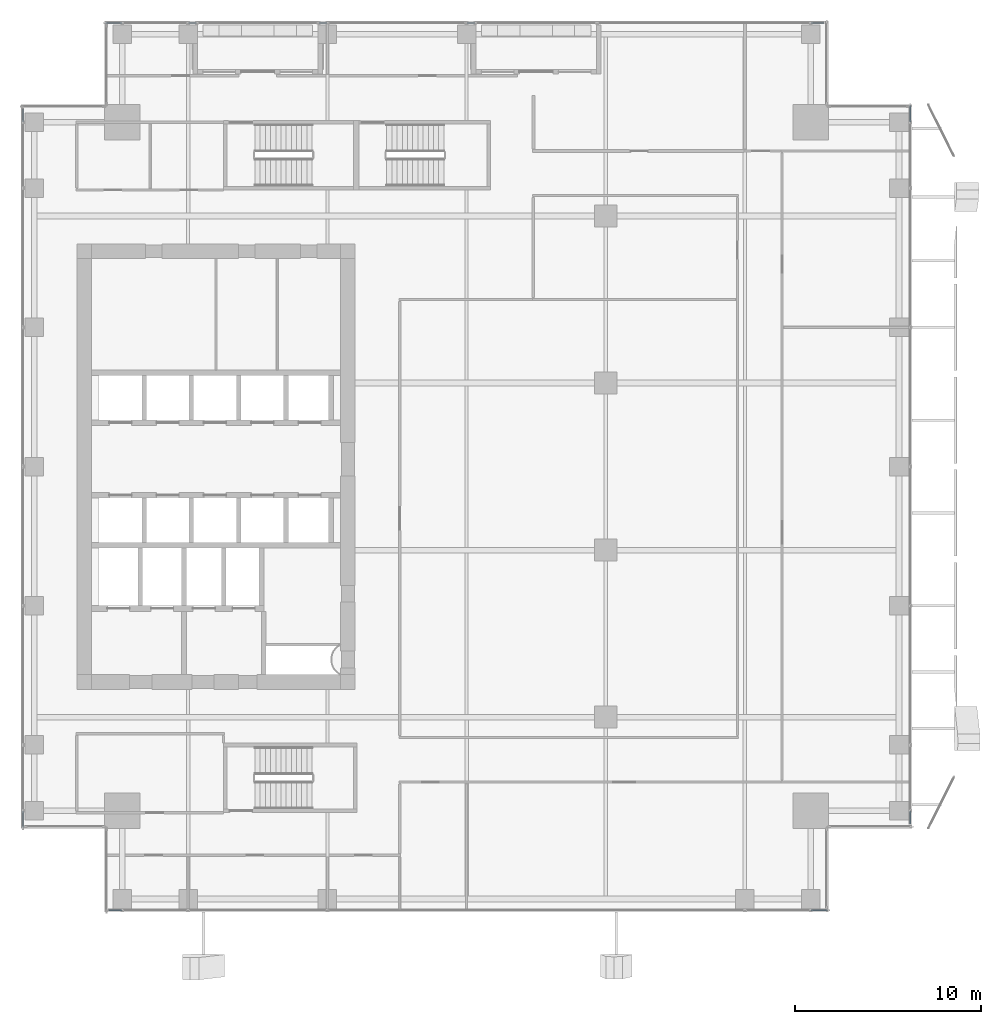
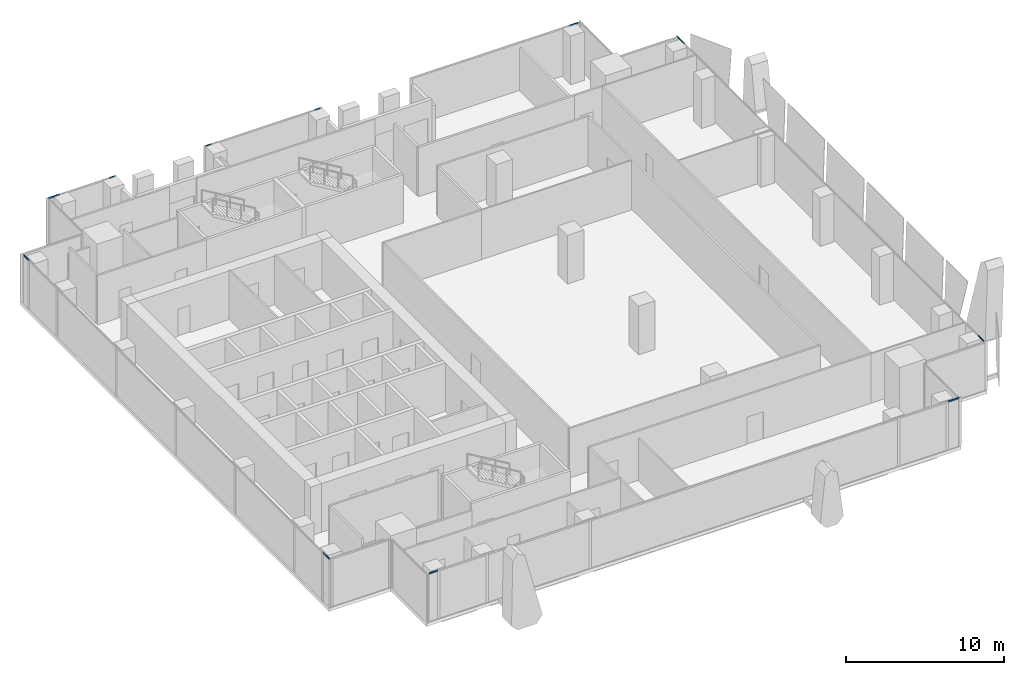
# One storey, part 26 of 38: 11 members, 6 elements without a shape of their own.
"""IFC4 building model written with IfcOpenShell, lengths in metres."""

import ifcopenshell
import ifcopenshell.guid

model = None  # the IFC model being written
_history = None  # IfcOwnerHistory: only IFC2X3 demands one
_inside = {}  # id of a spatial element -> (the spatial element, [elements in it])
_under = {}  # id of a project, library or spatial element -> (it, [spatial elements below it])
_declared = {}  # id of a project -> (the project, [libraries it declares])
_typed = {}  # id of a type object -> (the type object, [elements of that type])
_made_of = {}  # id of a material, layer set ... -> (it, [elements and type objects made of it])


def new_model(schema):
    """Start an empty IFC model of exactly this schema.

    Asked for "IFC4X3", IfcOpenShell would pick the latest addendum, in which some entities
    have other attributes; the version numbers below select the first issue.
    IFC2X3 requires an IfcOwnerHistory on every rooted entity: one is made here for all.
    """
    global model, _history
    if schema == "IFC4X3":
        model = ifcopenshell.file(schema_version=(4, 3, 0, 0))
    else:
        model = ifcopenshell.file(schema=schema)
    _inside.clear()
    _under.clear()
    _declared.clear()
    _typed.clear()
    _made_of.clear()
    _history = None
    if model.schema == "IFC2X3":
        org = make("IfcOrganization", Name="unknown")
        user = make(
            "IfcPersonAndOrganization",
            ThePerson=make("IfcPerson", FamilyName="unknown"),
            TheOrganization=org,
        )
        app = make(
            "IfcApplication",
            ApplicationDeveloper=org,
            Version="unknown",
            ApplicationFullName="unknown",
            ApplicationIdentifier="unknown",
        )
        _history = make(
            "IfcOwnerHistory",
            OwningUser=user,
            OwningApplication=app,
            ChangeAction="ADDED",
            CreationDate=0,
        )
    return model


def make(cls, **values):
    """One entity of the class cls with the attributes given. An attribute that is None is left unset."""
    return model.create_entity(
        cls, **{name: value for name, value in values.items() if value is not None}
    )


def rooted(cls, **values):
    """An entity with a GlobalId (a new one), such as an element, a storey or a relation."""
    return make(cls, GlobalId=ifcopenshell.guid.new(), OwnerHistory=_history, **values)


def si_unit(unit_type, name, prefix=None):
    """IfcSIUnit, for example si_unit("LENGTHUNIT", "METRE", prefix="MILLI")."""
    return make("IfcSIUnit", UnitType=unit_type, Prefix=prefix, Name=name)


def assignment(units):
    """IfcUnitAssignment: the units of a project."""
    return None if units is None else make("IfcUnitAssignment", Units=units)


def point(xyz):
    """IfcCartesianPoint."""
    return None if xyz is None else make("IfcCartesianPoint", Coordinates=xyz)


def direction(xyz):
    """IfcDirection."""
    return None if xyz is None else make("IfcDirection", DirectionRatios=xyz)


def frame(location, z_axis=None, x_axis=None):
    """IfcAxis2Placement3D, a coordinate frame: its origin and axes. An axis left out is left unset."""
    return make(
        "IfcAxis2Placement3D",
        Location=point(location),
        Axis=direction(z_axis),
        RefDirection=direction(x_axis),
    )


def frame_2d(location, x_axis=None):
    """IfcAxis2Placement2D, a coordinate frame in the plane: its origin and x axis."""
    return make(
        "IfcAxis2Placement2D", Location=point(location), RefDirection=direction(x_axis)
    )


def origin():
    """The frame at (0, 0, 0) with its axes left unset."""
    return frame((0.0, 0.0, 0.0))


def origin_2d():
    """The frame at (0, 0) in the plane with its x axis left unset."""
    return frame_2d((0.0, 0.0))


def place(relative_to, where):
    """IfcLocalPlacement: puts the frame where relative to a parent placement (None: the world)."""
    return make(
        "IfcLocalPlacement", PlacementRelTo=relative_to, RelativePlacement=where
    )


def context(
    kind, dimensions, precision=None, world=None, true_north=None, identifier=None
):
    """IfcGeometricRepresentationContext, for example the 3D "Model" context."""
    return make(
        "IfcGeometricRepresentationContext",
        ContextIdentifier=identifier,
        ContextType=kind,
        CoordinateSpaceDimension=dimensions,
        Precision=precision,
        WorldCoordinateSystem=world,
        TrueNorth=true_north,
    )


def subcontext(parent, identifier, kind, view, scale=None):
    """IfcGeometricRepresentationSubContext, for example "Body" below "Model"."""
    return make(
        "IfcGeometricRepresentationSubContext",
        ContextIdentifier=identifier,
        ContextType=kind,
        ParentContext=parent,
        TargetScale=scale,
        TargetView=view,
    )


def project(units=None, contexts=None):
    """IfcProject with its units and contexts."""
    return rooted(
        "IfcProject",
        Name="project",
        RepresentationContexts=contexts,
        UnitsInContext=assignment(units),
    )


def spatial(cls, under=None, at=None, **own):
    """A site, building, storey or space (cls), placed at a placement, below another one or the project."""
    s = rooted(cls, ObjectPlacement=at, **own)
    if under is not None:
        _under.setdefault(under.id(), (under, []))[1].append(s)
    return s


def profile(cls, at=None, kind="AREA", **sizes):
    """A parametric profile (cls). Its sizes go by their IFC names, for example OverallWidth=200.0."""
    return make(cls, ProfileType=kind, Position=at, **sizes)


def hollow_rectangle(**sizes):
    """IfcRectangleHollowProfileDef."""
    return profile("IfcRectangleHollowProfileDef", **sizes)


def extrude(swept, where, along, depth):
    """IfcExtrudedAreaSolid: the profile swept, set in the frame where, extruded along a direction by depth."""
    return make(
        "IfcExtrudedAreaSolid",
        SweptArea=swept,
        Position=where,
        ExtrudedDirection=direction(along),
        Depth=depth,
    )


def shape(context_of_items, identifier, shape_type, items):
    """IfcShapeRepresentation: the items that make up one representation, for example the "Body"."""
    return make(
        "IfcShapeRepresentation",
        ContextOfItems=context_of_items,
        RepresentationIdentifier=identifier,
        RepresentationType=shape_type,
        Items=items,
    )


def source(mapping_origin, context_of_items, identifier, shape_type, items):
    """IfcRepresentationMap: a shape defined once, which mapped items show again and again."""
    return make(
        "IfcRepresentationMap",
        MappingOrigin=mapping_origin,
        MappedRepresentation=shape(context_of_items, identifier, shape_type, items),
    )


def transform(
    local_origin,
    x_axis=None,
    y_axis=None,
    z_axis=None,
    scale=None,
    scale2=None,
    scale3=None,
    uniform=True,
):
    """IfcCartesianTransformationOperator3D, or its non-uniform kind. x_axis, y_axis, z_axis: its Axis1, 2, 3."""
    if uniform:
        return make(
            "IfcCartesianTransformationOperator3D",
            Axis1=direction(x_axis),
            Axis2=direction(y_axis),
            LocalOrigin=point(local_origin),
            Scale=scale,
            Axis3=direction(z_axis),
        )
    return make(
        "IfcCartesianTransformationOperator3DnonUniform",
        Axis1=direction(x_axis),
        Axis2=direction(y_axis),
        LocalOrigin=point(local_origin),
        Scale=scale,
        Axis3=direction(z_axis),
        Scale2=scale2,
        Scale3=scale3,
    )


def mapped(mapping_source, mapping_target):
    """IfcMappedItem: shows the shape of a source again, moved by a transform."""
    return make(
        "IfcMappedItem", MappingSource=mapping_source, MappingTarget=mapping_target
    )


def material(Name=None, Category=None):
    """IfcMaterial."""
    return make("IfcMaterial", Name=Name, Category=Category)


def material_profile(
    of_material, cross_section, Name=None, Category=None, Priority=None
):
    """IfcMaterialProfile: a cross section and its material."""
    return make(
        "IfcMaterialProfile",
        Name=Name,
        Material=of_material,
        Profile=cross_section,
        Priority=Priority,
        Category=Category,
    )


def profile_set(profiles, Name=None, composite=None):
    """IfcMaterialProfileSet."""
    return make(
        "IfcMaterialProfileSet",
        Name=Name,
        MaterialProfiles=profiles,
        CompositeProfile=composite,
    )


def made_of(thing, what):
    """Note that an element or type object is made of a material, layer set ...; save() writes the relation."""
    if what is not None:
        _made_of.setdefault(what.id(), (what, []))[1].append(thing)
    return thing


def type_object(cls, material=None, **own):
    """A type object (cls), such as IfcWallType, which elements share."""
    return made_of(rooted(cls, **own), material)


def element(
    cls,
    number,
    at=None,
    inside=None,
    cuts=None,
    type_object=None,
    material=None,
    context=None,
    identifier="Body",
    shape_type=None,
    held_by="IfcProductDefinitionShape",
    body=None,
    shapes=None,
    **own,
):
    """One element of the class cls, such as IfcWall. Its Tag is "e" and its number.

    at: its placement. inside: the storey or other place that contains it. cuts: it is an
    opening in that element (IfcRelVoidsElement). A single representation is given by context,
    identifier, shape_type and body (its items); several are given by shapes. held_by: the class
    of the entity that holds the representations. save() writes the other relations.
    """
    e = rooted(cls, Tag="e%d" % number, ObjectPlacement=at, **own)
    if body is not None:
        shapes = [shape(context, identifier, shape_type, body)]
    if shapes is not None:
        e.Representation = make(held_by, Representations=shapes)
    if inside is not None:
        _inside.setdefault(inside.id(), (inside, []))[1].append(e)
    if cuts is not None:
        rooted(
            "IfcRelVoidsElement", RelatingBuildingElement=cuts, RelatedOpeningElement=e
        )
    if type_object is not None:
        _typed.setdefault(type_object.id(), (type_object, []))[1].append(e)
    return made_of(e, material)


def aggregate(whole, parts):
    """IfcRelAggregates: a whole, such as a stair, and the parts it consists of."""
    return rooted("IfcRelAggregates", RelatingObject=whole, RelatedObjects=parts)


def save(model, path):
    """Write the relations noted so far, then the file.

    IfcRelAggregates (storeys below a building ...), IfcRelContainedInSpatialStructure (elements
    in a storey), IfcRelDefinesByType, IfcRelAssociatesMaterial and IfcRelDeclares: one each for
    every whole, place, type object, material and project.
    """
    for whole, parts in _under.values():
        aggregate(whole, parts)
    for where, things in _inside.values():
        rooted(
            "IfcRelContainedInSpatialStructure",
            RelatedElements=things,
            RelatingStructure=where,
        )
    for kind, things in _typed.values():
        rooted("IfcRelDefinesByType", RelatedObjects=things, RelatingType=kind)
    for what, things in _made_of.values():
        rooted("IfcRelAssociatesMaterial", RelatedObjects=things, RelatingMaterial=what)
    for by, libraries in _declared.values():
        rooted("IfcRelDeclares", RelatingContext=by, RelatedDefinitions=libraries)
    model.write(path)


model = new_model("IFC4")

# Units and contexts
model_context = context("Model", 3, precision=1e-05, world=origin(), true_north=direction((0.0, 1.0)))
body_context = subcontext(model_context, "Body", "Model", "MODEL_VIEW")
ifc_project = project(units=[si_unit("LENGTHUNIT", "METRE"), si_unit("AREAUNIT", "SQUARE_METRE"), si_unit("VOLUMEUNIT", "CUBIC_METRE"), si_unit("PLANEANGLEUNIT", "RADIAN"), si_unit("MASSUNIT", "GRAM", prefix="KILO")], contexts=[model_context])

# Site, building, storey
site_placement = place(None, origin())
site = spatial("IfcSite", under=ifc_project, at=site_placement, CompositionType="ELEMENT")
building_placement = place(site_placement, origin())
building = spatial("IfcBuilding", under=site, at=building_placement, Name="Khomas Fold Tower", CompositionType="ELEMENT")
storey_placement = place(building_placement, frame((0.0, 0.0, 208.699951171875)))
storey = spatial("IfcBuildingStorey", under=building, at=storey_placement, Name="L46", CompositionType="ELEMENT", Elevation=208.699951171875)

# Curtain wall, member
ifc_material_1 = material(Name="Aluminium framed double glazing", Category="aluminium")
curtain_wall_type = type_object("IfcCurtainWallType", Name="SK-Unitised clear-glass wall, office floors CW2", PredefinedType="NOTDEFINED", material=ifc_material_1)
curtain_wall_1_placement = place(storey_placement, origin())
curtain_wall_1 = element("IfcCurtainWall", 1, at=curtain_wall_1_placement, inside=storey, type_object=curtain_wall_type, Name="CW2 run L46 00-0", PredefinedType="NOTDEFINED")
ifc_material_2 = material(Name="Aluminium", Category="aluminium")
ifc_material_profile = material_profile(ifc_material_2, hollow_rectangle(XDim=0.050048828125, YDim=0.110107421875, WallThickness=0.00390625, at=origin_2d()), Name="SK-Unitised clear-glass wall, office floors transom CW2-T")
ifc_profile_set = profile_set([ifc_material_profile], Name="Aluminium")
member_type = type_object("IfcMemberType", Name="SK-Unitised clear-glass wall, office floors transom CW2-T", PredefinedType="USERDEFINED", material=ifc_profile_set)
shared_shape_1 = source(origin(), body_context, "Body", "SweptSolid", [
    extrude(hollow_rectangle(XDim=0.050048828125, YDim=0.110107421875, WallThickness=0.00390625, at=origin_2d()), origin(), (0.0, 0.0, 1.0), 0.659912109375),
])
member_1_placement = place(storey_placement, frame((7.760009765625, 3.10009765625, 3.695068359375), z_axis=(1.0, 0.0, 0.0), x_axis=(0.0, 1.0, 0.0)))
member_1 = element("IfcMember", 2, at=member_1_placement, type_object=member_type, Name="CW2 transom 1", ObjectType="TRANSOM", PredefinedType="USERDEFINED", context=body_context, shape_type="MappedRepresentation", body=[
    mapped(shared_shape_1, transform((0.0, 0.0, 0.0))),
])

curtain_wall_2_placement = place(storey_placement, origin())
curtain_wall_2 = element("IfcCurtainWall", 3, at=curtain_wall_2_placement, inside=storey, type_object=curtain_wall_type, Name="CW2 run L46 03-0", PredefinedType="NOTDEFINED")
member_2_placement = place(storey_placement, frame((50.89990234375, 7.760009765625, 3.695068359375), z_axis=(0.0, 1.0, 0.0), x_axis=(-1.0, 0.0, 0.0)))
member_2 = element("IfcMember", 4, at=member_2_placement, type_object=member_type, Name="CW2 transom 1", ObjectType="TRANSOM", PredefinedType="USERDEFINED", context=body_context, shape_type="MappedRepresentation", body=[
    mapped(shared_shape_1, transform((0.0, 0.0, 0.0))),
])

curtain_wall_3_placement = place(storey_placement, origin())
curtain_wall_3 = element("IfcCurtainWall", 5, at=curtain_wall_3_placement, inside=storey, type_object=curtain_wall_type, Name="CW2 run L46 06-0", PredefinedType="NOTDEFINED")
member_3_placement = place(storey_placement, frame((46.239990234375, 50.89990234375, 3.695068359375), z_axis=(-1.0, 0.0, 0.0), x_axis=(0.0, -1.0, 0.0)))
member_3 = element("IfcMember", 6, at=member_3_placement, type_object=member_type, Name="CW2 transom 1", ObjectType="TRANSOM", PredefinedType="USERDEFINED", context=body_context, shape_type="MappedRepresentation", body=[
    mapped(shared_shape_1, transform((0.0, 0.0, 0.0))),
])
aggregate(curtain_wall_3, [member_3])

curtain_wall_4_placement = place(storey_placement, origin())
curtain_wall_4 = element("IfcCurtainWall", 7, at=curtain_wall_4_placement, inside=storey, type_object=curtain_wall_type, Name="CW2 run L46 09-0", PredefinedType="NOTDEFINED")
member_4_placement = place(storey_placement, frame((3.10009765625, 46.239990234375, 3.695068359375), z_axis=(0.0, -1.0, 0.0), x_axis=(1.0, 0.0, 0.0)))
member_4 = element("IfcMember", 8, at=member_4_placement, type_object=member_type, Name="CW2 transom 1", ObjectType="TRANSOM", PredefinedType="USERDEFINED", context=body_context, shape_type="MappedRepresentation", body=[
    mapped(shared_shape_1, transform((0.0, 0.0, 0.0))),
])

# Curtain wall, members
curtain_wall_5_placement = place(storey_placement, origin())
curtain_wall_5 = element("IfcCurtainWall", 9, at=curtain_wall_5_placement, inside=storey, type_object=curtain_wall_type, Name="CW2 run L46 06-1", PredefinedType="NOTDEFINED")
shared_shape_2 = source(origin(), body_context, "Body", "SweptSolid", [
    extrude(hollow_rectangle(XDim=0.050048828125, YDim=0.110107421875, WallThickness=0.00390625, at=origin_2d()), origin(), (0.0, 0.0, 1.0), 0.409912109375),
])
member_5_placement = place(storey_placement, frame((27.43994140625, 50.89990234375, 3.695068359375), z_axis=(-1.0, 0.0, 0.0), x_axis=(0.0, -1.0, 0.0)))
member_5 = element("IfcMember", 10, at=member_5_placement, type_object=member_type, Name="CW2 transom 1", ObjectType="TRANSOM", PredefinedType="USERDEFINED", context=body_context, shape_type="MappedRepresentation", body=[
    mapped(shared_shape_2, transform((0.0, 0.0, 0.0))),
])
member_6_placement = place(storey_placement, frame((19.469970703125, 50.89990234375, 3.695068359375), z_axis=(-1.0, 0.0, 0.0), x_axis=(0.0, -1.0, 0.0)))
member_6 = element("IfcMember", 11, at=member_6_placement, type_object=member_type, Name="CW2 transom 3", ObjectType="TRANSOM", PredefinedType="USERDEFINED", context=body_context, shape_type="MappedRepresentation", body=[
    mapped(shared_shape_2, transform((0.0, 0.0, 0.0))),
])
aggregate(curtain_wall_5, [member_5, member_6])

# Curtain wall, member
curtain_wall_6_placement = place(storey_placement, origin())
curtain_wall_6 = element("IfcCurtainWall", 12, at=curtain_wall_6_placement, inside=storey, type_object=curtain_wall_type, Name="CW2 run L46 06-2", PredefinedType="NOTDEFINED")
member_7_placement = place(storey_placement, frame((12.43994140625, 50.89990234375, 3.695068359375), z_axis=(-1.0, 0.0, 0.0), x_axis=(0.0, -1.0, 0.0)))
member_7 = element("IfcMember", 13, at=member_7_placement, type_object=member_type, Name="CW2 transom 1", ObjectType="TRANSOM", PredefinedType="USERDEFINED", context=body_context, shape_type="MappedRepresentation", body=[
    mapped(shared_shape_2, transform((0.0, 0.0, 0.0))),
])

# Member
shared_shape_3 = source(origin(), body_context, "Body", "SweptSolid", [
    extrude(hollow_rectangle(XDim=0.050048828125, YDim=0.110107421875, WallThickness=0.00390625, at=origin_2d()), origin(), (0.0, 0.0, 1.0), 0.85986328125),
])
member_8_placement = place(storey_placement, frame((45.580078125, 3.10009765625, 3.695068359375), z_axis=(1.0, 0.0, 0.0), x_axis=(0.0, 1.0, 0.0)))
member_8 = element("IfcMember", 14, at=member_8_placement, type_object=member_type, Name="CW2 transom 6", ObjectType="TRANSOM", PredefinedType="USERDEFINED", context=body_context, shape_type="MappedRepresentation", body=[
    mapped(shared_shape_3, transform((0.0, 0.0, 0.0))),
])

aggregate(curtain_wall_1, [member_1, member_8])

member_9_placement = place(storey_placement, frame((50.89990234375, 45.580078125, 3.695068359375), z_axis=(0.0, 1.0, 0.0), x_axis=(-1.0, 0.0, 0.0)))
member_9 = element("IfcMember", 15, at=member_9_placement, type_object=member_type, Name="CW2 transom 8", ObjectType="TRANSOM", PredefinedType="USERDEFINED", context=body_context, shape_type="MappedRepresentation", body=[
    mapped(shared_shape_3, transform((0.0, 0.0, 0.0))),
])

aggregate(curtain_wall_2, [member_2, member_9])

member_10_placement = place(storey_placement, frame((8.419921875, 50.89990234375, 3.695068359375), z_axis=(-1.0, 0.0, 0.0), x_axis=(0.0, -1.0, 0.0)))
member_10 = element("IfcMember", 16, at=member_10_placement, type_object=member_type, Name="CW2 transom 3", ObjectType="TRANSOM", PredefinedType="USERDEFINED", context=body_context, shape_type="MappedRepresentation", body=[
    mapped(shared_shape_3, transform((0.0, 0.0, 0.0))),
])

aggregate(curtain_wall_6, [member_7, member_10])

member_11_placement = place(storey_placement, frame((3.10009765625, 8.419921875, 3.695068359375), z_axis=(0.0, -1.0, 0.0), x_axis=(1.0, 0.0, 0.0)))
member_11 = element("IfcMember", 17, at=member_11_placement, type_object=member_type, Name="CW2 transom 8", ObjectType="TRANSOM", PredefinedType="USERDEFINED", context=body_context, shape_type="MappedRepresentation", body=[
    mapped(shared_shape_3, transform((0.0, 0.0, 0.0))),
])

aggregate(curtain_wall_4, [member_4, member_11])

save(model, "model.ifc")
